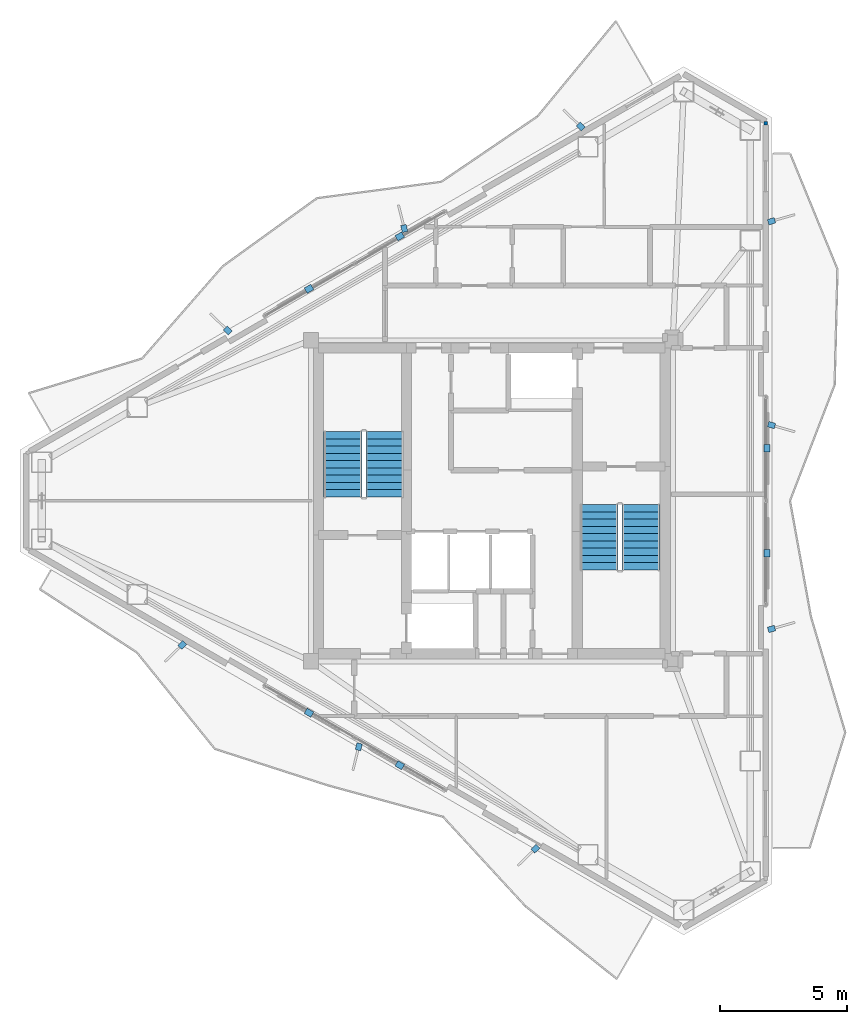
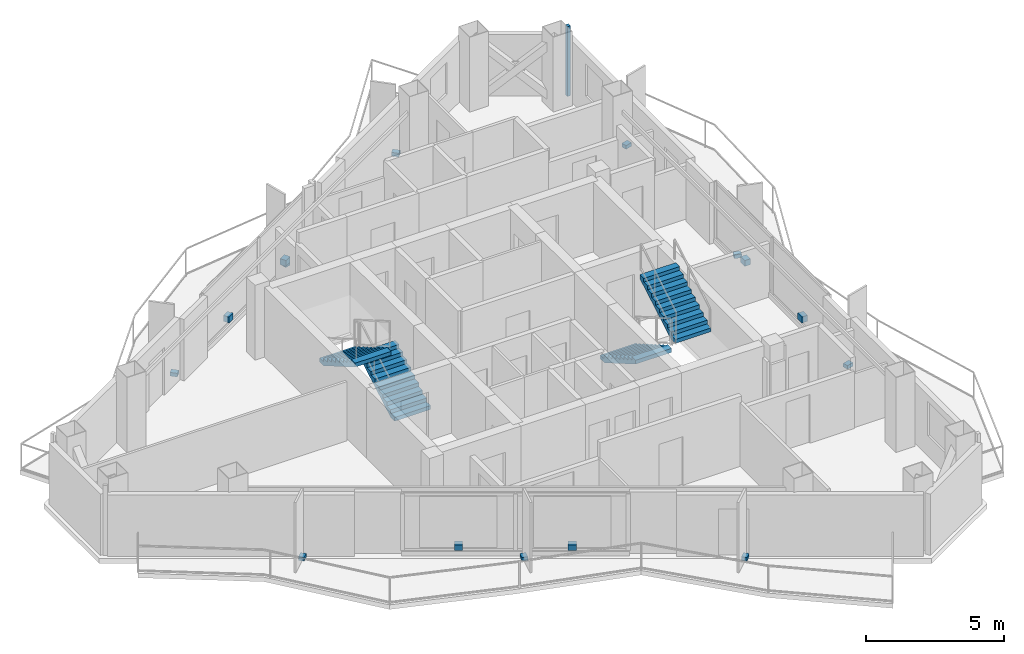
# One storey, part 17 of 18: 15 discrete accessories, 4 stair flights, 1 wall, 2 elements without a shape of their own.
"""IFC4 building model written with IfcOpenShell, lengths in metres."""

from ifc_helpers import new_model, si_unit, direction, frame, frame_2d, origin, origin_2d, place, context, subcontext, project, spatial, polyline, rectangle, outline, extrude, material, layer, layer_set, type_object, element, aggregate, save


model = new_model("IFC4")

# Units and contexts
model_context = context("Model", 3, precision=1e-05, world=origin(), true_north=direction((0.0, 1.0)))
body_context = subcontext(model_context, "Body", "Model", "MODEL_VIEW")
ifc_project = project(units=[si_unit("LENGTHUNIT", "METRE"), si_unit("AREAUNIT", "SQUARE_METRE"), si_unit("VOLUMEUNIT", "CUBIC_METRE"), si_unit("PLANEANGLEUNIT", "RADIAN"), si_unit("MASSUNIT", "GRAM", prefix="KILO")], contexts=[model_context])

# Site, building, storey
site_placement = place(None, origin())
site = spatial("IfcSite", under=ifc_project, at=site_placement, CompositionType="ELEMENT")
building_placement = place(site_placement, origin())
building = spatial("IfcBuilding", under=site, at=building_placement, Name="Mersakhor Tower and Convention Hall", CompositionType="ELEMENT")
storey_placement = place(building_placement, frame((0.0, 0.0, 243.0)))
storey = spatial("IfcBuildingStorey", under=building, at=storey_placement, Name="L68", CompositionType="ELEMENT", Elevation=243.0)

# Wall
ifc_material_1 = material(Name="Gypsum board acoustic partition", Category="other")
ifc_layer_1 = layer(ifc_material_1, 0.125)
ifc_layer_set_1 = layer_set([ifc_layer_1], Name="Gypsum board acoustic partition")
wall_type = type_object("IfcWallType", Name="WL-PRT-125", PredefinedType="PARTITIONING", material=ifc_layer_set_1)
wall_placement = place(storey_placement, frame((39.742919921875, 41.64208984375, 0.0), z_axis=(0.0, 0.0, 1.0), x_axis=(0.0, -1.0, 0.0)))
element("IfcWall", 1, at=wall_placement, inside=storey, type_object=wall_type, Name="L68 Interior Partition Wall P-065", PredefinedType="PARTITIONING", context=body_context, shape_type="SweptSolid", body=[
    extrude(rectangle(XDim=0.150390625, YDim=0.125, at=frame_2d((0.0751953125, 0.0))), origin(), (0.0, 0.0, 1.0), 3.080078125),
])

# Stair, stair flights
ifc_material_2 = material(Name="Concrete C45/55", Category="concrete")
stair_type = type_object("IfcStairType", Name="ST-TWR-20R", PredefinedType="HALF_TURN_STAIR", material=ifc_material_2)
stair_1_placement = place(storey_placement, origin())
stair_1 = element("IfcStair", 2, at=stair_1_placement, inside=storey, type_object=stair_type, Name="L68 Tower Protected Exit Stair ST-1", PredefinedType="HALF_TURN_STAIR")
ifc_material_3 = material(Name="Concrete C45/55", Category="concrete")
stair_flight_type = type_object("IfcStairFlightType", Name="SFL-TWR-20R", PredefinedType="STRAIGHT", material=ifc_material_3)
stair_flight_1_placement = place(storey_placement, frame((24.800048828125, 26.89990234375, 0.0), z_axis=(0.0, 0.0, 1.0), x_axis=(0.0, 1.0, 0.0)))
stair_flight_1 = element("IfcStairFlight", 3, at=stair_flight_1_placement, type_object=stair_flight_type, Name="ST-1 flight 1", NumberOfRisers=10, NumberOfTreads=9, PredefinedType="STRAIGHT", RiserHeight=0.165, TreadLength=0.285, context=body_context, shape_type="SweptSolid", body=[
    extrude(outline(polyline([(0.0, 0.0), (0.0, 0.1650390625), (0.284912109375, 0.1650390625), (0.284912109375, 0.330078125), (0.570068359375, 0.330078125), (0.570068359375, 0.4951171875), (0.85498046875, 0.4951171875), (0.85498046875, 0.659912109375), (1.139892578125, 0.659912109375), (1.139892578125, 0.824951171875), (1.425048828125, 0.824951171875), (1.425048828125, 0.989990234375), (1.7099609375, 0.989990234375), (1.7099609375, 1.155029296875), (1.9951171875, 1.155029296875), (1.9951171875, 1.320068359375), (2.280029296875, 1.320068359375), (2.280029296875, 1.485107421875), (2.56494140625, 1.485107421875), (2.56494140625, 1.64990234375), (2.56494140625, 1.311767578125), (0.299072265625, 0.0), (0.0, 0.0)])), frame((0.0, 0.75, 0.0), z_axis=(0.0, -1.0, 0.0), x_axis=(1.0, 0.0, 0.0)), (0.0, 0.0, 1.0), 1.5),
])
stair_flight_2_placement = place(storey_placement, frame((23.14990234375, 29.465087890625, 1.64990234375), z_axis=(0.0, 0.0, 1.0), x_axis=(0.0, -1.0, 0.0)))
stair_flight_2 = element("IfcStairFlight", 4, at=stair_flight_2_placement, type_object=stair_flight_type, Name="ST-1 flight 2", NumberOfRisers=10, NumberOfTreads=9, PredefinedType="STRAIGHT", RiserHeight=0.165, TreadLength=0.285, context=body_context, shape_type="SweptSolid", body=[
    extrude(outline(polyline([(0.0, 0.0), (0.0, 0.1650390625), (0.284912109375, 0.1650390625), (0.284912109375, 0.330078125), (0.570068359375, 0.330078125), (0.570068359375, 0.4951171875), (0.85498046875, 0.4951171875), (0.85498046875, 0.659912109375), (1.139892578125, 0.659912109375), (1.139892578125, 0.824951171875), (1.425048828125, 0.824951171875), (1.425048828125, 0.989990234375), (1.7099609375, 0.989990234375), (1.7099609375, 1.155029296875), (1.9951171875, 1.155029296875), (1.9951171875, 1.320068359375), (2.280029296875, 1.320068359375), (2.280029296875, 1.485107421875), (2.56494140625, 1.485107421875), (2.56494140625, 1.64990234375), (2.56494140625, 1.311767578125), (0.299072265625, 0.0), (0.0, 0.0)])), frame((0.0, 0.75, 0.0), z_axis=(0.0, -1.0, 0.0), x_axis=(1.0, 0.0, 0.0)), (0.0, 0.0, 1.0), 1.5),
])
aggregate(stair_1, [stair_flight_1, stair_flight_2])

stair_2_placement = place(storey_placement, origin())
stair_2 = element("IfcStair", 5, at=stair_2_placement, inside=storey, type_object=stair_type, Name="L68 Tower Protected Exit Stair ST-2", PredefinedType="HALF_TURN_STAIR")
stair_flight_3_placement = place(storey_placement, frame((33.199951171875, 26.60009765625, 0.0), z_axis=(0.0, 0.0, 1.0), x_axis=(0.0, -1.0, 0.0)))
stair_flight_3 = element("IfcStairFlight", 6, at=stair_flight_3_placement, type_object=stair_flight_type, Name="ST-2 flight 1", NumberOfRisers=10, NumberOfTreads=9, PredefinedType="STRAIGHT", RiserHeight=0.165, TreadLength=0.285, context=body_context, shape_type="SweptSolid", body=[
    extrude(outline(polyline([(0.0, 0.0), (0.0, 0.1650390625), (0.284912109375, 0.1650390625), (0.284912109375, 0.330078125), (0.570068359375, 0.330078125), (0.570068359375, 0.4951171875), (0.85498046875, 0.4951171875), (0.85498046875, 0.659912109375), (1.139892578125, 0.659912109375), (1.139892578125, 0.824951171875), (1.425048828125, 0.824951171875), (1.425048828125, 0.989990234375), (1.7099609375, 0.989990234375), (1.7099609375, 1.155029296875), (1.9951171875, 1.155029296875), (1.9951171875, 1.320068359375), (2.280029296875, 1.320068359375), (2.280029296875, 1.485107421875), (2.56494140625, 1.485107421875), (2.56494140625, 1.64990234375), (2.56494140625, 1.311767578125), (0.299072265625, 0.0), (0.0, 0.0)])), frame((0.0, 0.75, 0.0), z_axis=(0.0, -1.0, 0.0), x_axis=(1.0, 0.0, 0.0)), (0.0, 0.0, 1.0), 1.5),
])
stair_flight_4_placement = place(storey_placement, frame((34.85009765625, 24.034912109375, 1.64990234375), z_axis=(0.0, 0.0, 1.0), x_axis=(0.0, 1.0, 0.0)))
stair_flight_4 = element("IfcStairFlight", 7, at=stair_flight_4_placement, type_object=stair_flight_type, Name="ST-2 flight 2", NumberOfRisers=10, NumberOfTreads=9, PredefinedType="STRAIGHT", RiserHeight=0.165, TreadLength=0.285, context=body_context, shape_type="SweptSolid", body=[
    extrude(outline(polyline([(0.0, 0.0), (0.0, 0.1650390625), (0.284912109375, 0.1650390625), (0.284912109375, 0.330078125), (0.570068359375, 0.330078125), (0.570068359375, 0.4951171875), (0.85498046875, 0.4951171875), (0.85498046875, 0.659912109375), (1.139892578125, 0.659912109375), (1.139892578125, 0.824951171875), (1.425048828125, 0.824951171875), (1.425048828125, 0.989990234375), (1.7099609375, 0.989990234375), (1.7099609375, 1.155029296875), (1.9951171875, 1.155029296875), (1.9951171875, 1.320068359375), (2.280029296875, 1.320068359375), (2.280029296875, 1.485107421875), (2.56494140625, 1.485107421875), (2.56494140625, 1.64990234375), (2.56494140625, 1.311767578125), (0.299072265625, 0.0), (0.0, 0.0)])), frame((0.0, 0.75, 0.0), z_axis=(0.0, -1.0, 0.0), x_axis=(1.0, 0.0, 0.0)), (0.0, 0.0, 1.0), 1.5),
])
aggregate(stair_2, [stair_flight_3, stair_flight_4])

# Discrete accessories
ifc_material_4 = material(Name="Galvanised steel bracket", Category="steel")
ifc_layer_2 = layer(ifc_material_4, 0.02001953125)
ifc_layer_set_2 = layer_set([ifc_layer_2], Name="Galvanised steel bracket")
discrete_accessory_type = type_object("IfcDiscreteAccessoryType", Name="ACC-BRK-STL", PredefinedType="BRACKET", material=ifc_layer_set_2)
for number, where, z_axis, x_axis, name in (
    (8, (21.822265625, 35.068359375, 0.2900390625), (0.0, 0.0, 1.0), (0.866025403784, 0.5, 0.0), "L68 Solar Screen Outrigger Bracket BRK-1-1"),
    (9, (25.385009765625, 37.125244140625, 0.2900390625), (0.0, 0.0, 1.0), (0.866025403784, 0.5, 0.0), "L68 Solar Screen Outrigger Bracket BRK-1-2"),
):
    element("IfcDiscreteAccessory", number, at=place(storey_placement, frame(where, z_axis=z_axis, x_axis=x_axis)), inside=storey, type_object=discrete_accessory_type, Name=name, PredefinedType="BRACKET", context=body_context, shape_type="SweptSolid", body=[
        extrude(rectangle(XDim=0.300048828125, YDim=0.239990234375, at=origin_2d()), origin(), (0.0, 0.0, 1.0), 0.260009765625),
    ])
for number, where, z_axis, x_axis, name in (
    (10, (18.632568359375, 33.434814453125, -0.02001953125), (0.0, 0.0, 1.0), (-0.719339800339, 0.694658370459, 0.0), "L68 Facade Fin Base Cleat Bracket FBRK-1-1"),
    (11, (25.560791015625, 37.434814453125, -0.02001953125), (0.0, 0.0, 1.0), (-0.2419218956, 0.970295726276, 0.0), "L68 Facade Fin Base Cleat Bracket FBRK-1-2"),
    (12, (32.489013671875, 41.434814453125, -0.02001953125), (0.0, 0.0, 1.0), (-0.719339800339, 0.694658370459, 0.0), "L68 Facade Fin Base Cleat Bracket FBRK-1-3"),
):
    element("IfcDiscreteAccessory", number, at=place(storey_placement, frame(where, z_axis=z_axis, x_axis=x_axis)), inside=storey, type_object=discrete_accessory_type, Name=name, PredefinedType="BRACKET", context=body_context, shape_type="SweptSolid", body=[
        extrude(rectangle(XDim=0.280029296875, YDim=0.219970703125, at=origin_2d()), origin(), (0.0, 0.0, 1.0), 0.159912109375),
    ])
for number, where, z_axis, x_axis, name in (
    (13, (39.792724609375, 28.806884765625, 0.2900390625), (0.0, 0.0, 1.0), (0.0, -1.0, 0.0), "L68 Solar Screen Outrigger Bracket BRK-2-1"),
    (14, (39.792724609375, 24.693115234375, 0.2900390625), (0.0, 0.0, 1.0), (0.0, -1.0, 0.0), "L68 Solar Screen Outrigger Bracket BRK-2-2"),
):
    element("IfcDiscreteAccessory", number, at=place(storey_placement, frame(where, z_axis=z_axis, x_axis=x_axis)), inside=storey, type_object=discrete_accessory_type, Name=name, PredefinedType="BRACKET", context=body_context, shape_type="SweptSolid", body=[
        extrude(rectangle(XDim=0.300048828125, YDim=0.239990234375, at=origin_2d()), origin(), (0.0, 0.0, 1.0), 0.260009765625),
    ])
for number, where, z_axis, x_axis, name in (
    (15, (39.972900390625, 37.719482421875, -0.02001953125), (0.0, 0.0, 1.0), (0.961261695938, 0.275637355817, 0.0), "L68 Facade Fin Base Cleat Bracket FBRK-2-1"),
    (16, (39.972900390625, 29.719482421875, -0.02001953125), (0.0, 0.0, 1.0), (0.961261695938, -0.275637355817, 0.0), "L68 Facade Fin Base Cleat Bracket FBRK-2-2"),
    (17, (39.972900390625, 21.719482421875, -0.02001953125), (0.0, 0.0, 1.0), (0.961261695938, 0.275637355817, 0.0), "L68 Facade Fin Base Cleat Bracket FBRK-2-3"),
):
    element("IfcDiscreteAccessory", number, at=place(storey_placement, frame(where, z_axis=z_axis, x_axis=x_axis)), inside=storey, type_object=discrete_accessory_type, Name=name, PredefinedType="BRACKET", context=body_context, shape_type="SweptSolid", body=[
        extrude(rectangle(XDim=0.280029296875, YDim=0.219970703125, at=origin_2d()), origin(), (0.0, 0.0, 1.0), 0.159912109375),
    ])
for number, where, z_axis, x_axis, name in (
    (18, (25.385009765625, 16.374755859375, 0.2900390625), (0.0, 0.0, 1.0), (-0.866025403784, 0.5, 0.0), "L68 Solar Screen Outrigger Bracket BRK-3-1"),
    (19, (21.822265625, 18.431640625, 0.2900390625), (0.0, 0.0, 1.0), (-0.866025403784, 0.5, 0.0), "L68 Solar Screen Outrigger Bracket BRK-3-2"),
):
    element("IfcDiscreteAccessory", number, at=place(storey_placement, frame(where, z_axis=z_axis, x_axis=x_axis)), inside=storey, type_object=discrete_accessory_type, Name=name, PredefinedType="BRACKET", context=body_context, shape_type="SweptSolid", body=[
        extrude(rectangle(XDim=0.300048828125, YDim=0.239990234375, at=origin_2d()), origin(), (0.0, 0.0, 1.0), 0.260009765625),
    ])
for number, where, z_axis, x_axis, name in (
    (20, (30.7041015625, 13.095947265625, -0.02001953125), (0.0, 0.0, 1.0), (-0.719339800339, -0.694658370459, 0.0), "L68 Facade Fin Base Cleat Bracket FBRK-3-1"),
    (21, (23.77587890625, 17.095947265625, -0.02001953125), (0.0, 0.0, 1.0), (-0.2419218956, -0.970295726276, 0.0), "L68 Facade Fin Base Cleat Bracket FBRK-3-2"),
    (22, (16.84765625, 21.095947265625, -0.02001953125), (0.0, 0.0, 1.0), (-0.719339800339, -0.694658370459, 0.0), "L68 Facade Fin Base Cleat Bracket FBRK-3-3"),
):
    element("IfcDiscreteAccessory", number, at=place(storey_placement, frame(where, z_axis=z_axis, x_axis=x_axis)), inside=storey, type_object=discrete_accessory_type, Name=name, PredefinedType="BRACKET", context=body_context, shape_type="SweptSolid", body=[
        extrude(rectangle(XDim=0.280029296875, YDim=0.219970703125, at=origin_2d()), origin(), (0.0, 0.0, 1.0), 0.159912109375),
    ])

save(model, "model.ifc")
